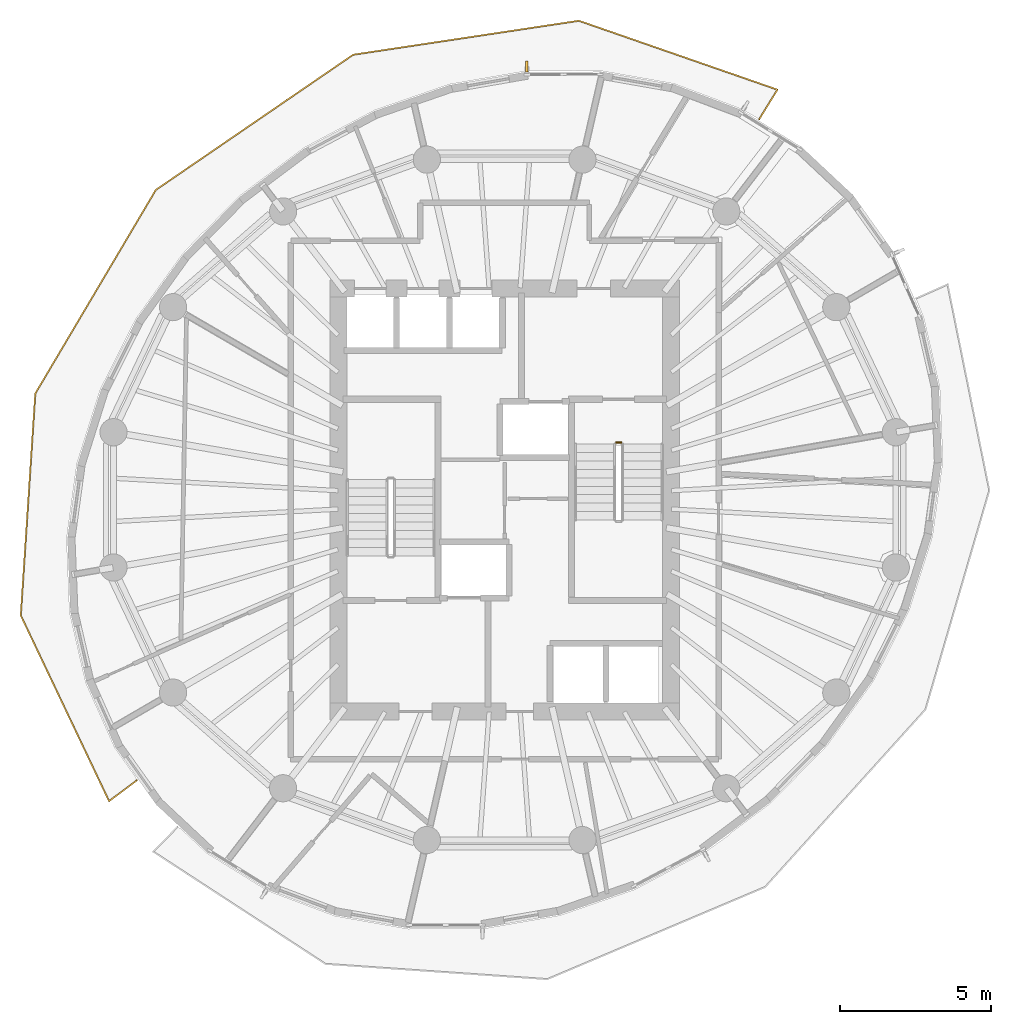
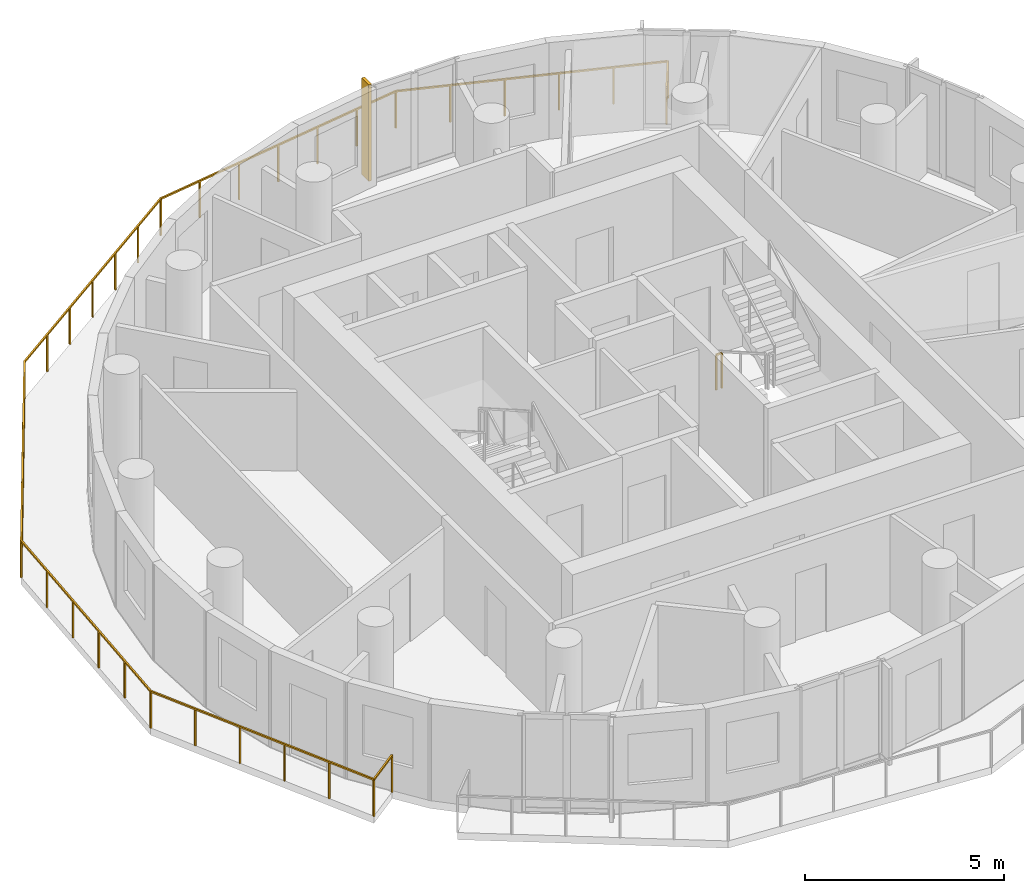
# One storey, part 9 of 10: 2 railings, 1 shading device.
"""IFC4 building model written with IfcOpenShell, lengths in metres."""

from ifc_helpers import new_model, si_unit, direction, frame, origin, origin_2d, place, context, subcontext, project, spatial, rectangle, extrude, material, layer, layer_set, type_object, element, save


model = new_model("IFC4")

# Units and contexts
model_context = context("Model", 3, precision=1e-05, world=origin(), true_north=direction((0.0, 1.0)))
body_context = subcontext(model_context, "Body", "Model", "MODEL_VIEW")
ifc_project = project(units=[si_unit("LENGTHUNIT", "METRE"), si_unit("AREAUNIT", "SQUARE_METRE"), si_unit("VOLUMEUNIT", "CUBIC_METRE"), si_unit("PLANEANGLEUNIT", "RADIAN"), si_unit("MASSUNIT", "GRAM", prefix="KILO")], contexts=[model_context])

# Site, building, storey
site_placement = place(None, origin())
site = spatial("IfcSite", under=ifc_project, at=site_placement, CompositionType="ELEMENT")
building_placement = place(site_placement, origin())
building = spatial("IfcBuilding", under=site, at=building_placement, Name="Veldorim Arch Residences", CompositionType="ELEMENT")
storey_placement = place(building_placement, frame((0.0, 0.0, 172.639892578125)))
storey = spatial("IfcBuildingStorey", under=building, at=storey_placement, Name="L51", CompositionType="ELEMENT", Elevation=172.639892578125)

# Railings
ifc_material_1 = material(Name="Aluminium", Category="aluminium")
railing_type_1 = type_object("IfcRailingType", Name="Balcony & Terrace Laminated Glass Balustrade 1150", PredefinedType="BALUSTRADE", material=ifc_material_1)
railing_1_placement = place(storey_placement, frame((40.425048828125, 36.59814453125, 0.0)))
element("IfcRailing", 1, at=railing_1_placement, inside=storey, type_object=railing_type_1, Name="L51 crescent balcony safety balustrade A", PredefinedType="BALUSTRADE", context=body_context, shape_type="SweptSolid", body=[
    extrude(rectangle(XDim=0.048095703125, YDim=0.048095703125, at=origin_2d()), frame((0.0, 0.0, 1.1259765625), z_axis=(0.524606682695, 0.851344717768, 0.0), x_axis=(-0.851344717768, 0.524606682695, 0.0)), (0.0, 0.0, 1.0), 1.14990234375),
    extrude(rectangle(XDim=0.048095703125, YDim=0.048095703125, at=origin_2d()), frame((0.603271484375, 0.97900390625, 1.1259765625), z_axis=(-0.944704924066, 0.32792164681, 0.0), x_axis=(-0.32792164681, -0.944704924066, 0.0)), (0.0, 0.0, 1.0), 6.956787109375),
    extrude(rectangle(XDim=0.048095703125, YDim=0.048095703125, at=origin_2d()), frame((-5.96875, 3.26025390625, 1.1259765625), z_axis=(-0.988865844183, -0.148809751723, 0.0), x_axis=(0.148809751723, -0.988865844183, 0.0)), (0.0, 0.0, 1.0), 7.55517578125),
    extrude(rectangle(XDim=0.048095703125, YDim=0.048095703125, at=origin_2d()), frame((-13.439697265625, 2.135986328125, 1.1259765625), z_axis=(-0.824983479583, -0.565156844085, 0.0), x_axis=(0.565156844085, -0.824983479583, 0.0)), (0.0, 0.0, 1.0), 7.919189453125),
    extrude(rectangle(XDim=0.048095703125, YDim=0.048095703125, at=origin_2d()), frame((-19.972900390625, -2.339599609375, 1.1259765625), z_axis=(-0.509292152255, -0.860593692547, 0.0), x_axis=(0.860593692547, -0.509292152255, 0.0)), (0.0, 0.0, 1.0), 7.83154296875),
    extrude(rectangle(XDim=0.048095703125, YDim=0.048095703125, at=origin_2d()), frame((-23.96142578125, -9.079345703125, 1.1259765625), z_axis=(-0.065340614692, -0.997863018691, 0.0), x_axis=(0.997863018691, -0.065340614692, 0.0)), (0.0, 0.0, 1.0), 7.35693359375),
    extrude(rectangle(XDim=0.048095703125, YDim=0.048095703125, at=origin_2d()), frame((-24.442138671875, -16.420654296875, 1.1259765625), z_axis=(0.429297420381, -0.903163177313, 0.0), x_axis=(0.903163177313, 0.429297420381, 0.0)), (0.0, 0.0, 1.0), 6.80908203125),
    extrude(rectangle(XDim=0.048095703125, YDim=0.048095703125, at=origin_2d()), frame((-21.51904296875, -22.5703125, 1.1259765625), z_axis=(0.801170297265, 0.598436425011, 0.0), x_axis=(-0.598436425011, 0.801170297265, 0.0)), (0.0, 0.0, 1.0), 1.150146484375),
    extrude(rectangle(XDim=0.0419921875, YDim=0.0419921875, at=origin_2d()), origin(), (0.0, 0.0, 1.0), 1.101806640625),
    extrude(rectangle(XDim=0.0419921875, YDim=0.0419921875, at=origin_2d()), frame((0.603271484375, 0.97900390625, 0.0)), (0.0, 0.0, 1.0), 1.101806640625),
    extrude(rectangle(XDim=0.0419921875, YDim=0.0419921875, at=origin_2d()), frame((-0.711181640625, 1.435302734375, 0.0)), (0.0, 0.0, 1.0), 1.101806640625),
    extrude(rectangle(XDim=0.0419921875, YDim=0.0419921875, at=origin_2d()), frame((-2.025634765625, 1.8916015625, 0.0)), (0.0, 0.0, 1.0), 1.101806640625),
    extrude(rectangle(XDim=0.0419921875, YDim=0.0419921875, at=origin_2d()), frame((-3.33984375, 2.34765625, 0.0)), (0.0, 0.0, 1.0), 1.101806640625),
    extrude(rectangle(XDim=0.0419921875, YDim=0.0419921875, at=origin_2d()), frame((-4.654296875, 2.803955078125, 0.0)), (0.0, 0.0, 1.0), 1.101806640625),
    extrude(rectangle(XDim=0.0419921875, YDim=0.0419921875, at=origin_2d()), frame((-5.96875, 3.26025390625, 0.0)), (0.0, 0.0, 1.0), 1.101806640625),
    extrude(rectangle(XDim=0.0419921875, YDim=0.0419921875, at=origin_2d()), frame((-7.2138671875, 3.07275390625, 0.0)), (0.0, 0.0, 1.0), 1.101806640625),
    extrude(rectangle(XDim=0.0419921875, YDim=0.0419921875, at=origin_2d()), frame((-8.458984375, 2.885498046875, 0.0)), (0.0, 0.0, 1.0), 1.101806640625),
    extrude(rectangle(XDim=0.0419921875, YDim=0.0419921875, at=origin_2d()), frame((-9.7041015625, 2.6982421875, 0.0)), (0.0, 0.0, 1.0), 1.101806640625),
    extrude(rectangle(XDim=0.0419921875, YDim=0.0419921875, at=origin_2d()), frame((-10.949462890625, 2.5107421875, 0.0)), (0.0, 0.0, 1.0), 1.101806640625),
    extrude(rectangle(XDim=0.0419921875, YDim=0.0419921875, at=origin_2d()), frame((-12.194580078125, 2.3232421875, 0.0)), (0.0, 0.0, 1.0), 1.101806640625),
    extrude(rectangle(XDim=0.0419921875, YDim=0.0419921875, at=origin_2d()), frame((-13.439697265625, 2.135986328125, 0.0)), (0.0, 0.0, 1.0), 1.101806640625),
    extrude(rectangle(XDim=0.0419921875, YDim=0.0419921875, at=origin_2d()), frame((-14.528564453125, 1.39013671875, 0.0)), (0.0, 0.0, 1.0), 1.101806640625),
    extrude(rectangle(XDim=0.0419921875, YDim=0.0419921875, at=origin_2d()), frame((-15.617431640625, 0.64404296875, 0.0)), (0.0, 0.0, 1.0), 1.101806640625),
    extrude(rectangle(XDim=0.0419921875, YDim=0.0419921875, at=origin_2d()), frame((-16.706298828125, -0.101806640625, 0.0)), (0.0, 0.0, 1.0), 1.101806640625),
    extrude(rectangle(XDim=0.0419921875, YDim=0.0419921875, at=origin_2d()), frame((-17.795166015625, -0.84765625, 0.0)), (0.0, 0.0, 1.0), 1.101806640625),
    extrude(rectangle(XDim=0.0419921875, YDim=0.0419921875, at=origin_2d()), frame((-18.884033203125, -1.59375, 0.0)), (0.0, 0.0, 1.0), 1.101806640625),
    extrude(rectangle(XDim=0.0419921875, YDim=0.0419921875, at=origin_2d()), frame((-19.972900390625, -2.339599609375, 0.0)), (0.0, 0.0, 1.0), 1.101806640625),
    extrude(rectangle(XDim=0.0419921875, YDim=0.0419921875, at=origin_2d()), frame((-20.6376953125, -3.462890625, 0.0)), (0.0, 0.0, 1.0), 1.101806640625),
    extrude(rectangle(XDim=0.0419921875, YDim=0.0419921875, at=origin_2d()), frame((-21.302490234375, -4.586181640625, 0.0)), (0.0, 0.0, 1.0), 1.101806640625),
    extrude(rectangle(XDim=0.0419921875, YDim=0.0419921875, at=origin_2d()), frame((-21.96728515625, -5.70947265625, 0.0)), (0.0, 0.0, 1.0), 1.101806640625),
    extrude(rectangle(XDim=0.0419921875, YDim=0.0419921875, at=origin_2d()), frame((-22.6318359375, -6.832763671875, 0.0)), (0.0, 0.0, 1.0), 1.101806640625),
    extrude(rectangle(XDim=0.0419921875, YDim=0.0419921875, at=origin_2d()), frame((-23.296630859375, -7.9560546875, 0.0)), (0.0, 0.0, 1.0), 1.101806640625),
    extrude(rectangle(XDim=0.0419921875, YDim=0.0419921875, at=origin_2d()), frame((-23.96142578125, -9.079345703125, 0.0)), (0.0, 0.0, 1.0), 1.101806640625),
    extrude(rectangle(XDim=0.0419921875, YDim=0.0419921875, at=origin_2d()), frame((-24.0576171875, -10.547607421875, 0.0)), (0.0, 0.0, 1.0), 1.101806640625),
    extrude(rectangle(XDim=0.0419921875, YDim=0.0419921875, at=origin_2d()), frame((-24.15380859375, -12.015869140625, 0.0)), (0.0, 0.0, 1.0), 1.101806640625),
    extrude(rectangle(XDim=0.0419921875, YDim=0.0419921875, at=origin_2d()), frame((-24.249755859375, -13.484130859375, 0.0)), (0.0, 0.0, 1.0), 1.101806640625),
    extrude(rectangle(XDim=0.0419921875, YDim=0.0419921875, at=origin_2d()), frame((-24.345947265625, -14.952392578125, 0.0)), (0.0, 0.0, 1.0), 1.101806640625),
    extrude(rectangle(XDim=0.0419921875, YDim=0.0419921875, at=origin_2d()), frame((-24.442138671875, -16.420654296875, 0.0)), (0.0, 0.0, 1.0), 1.101806640625),
    extrude(rectangle(XDim=0.0419921875, YDim=0.0419921875, at=origin_2d()), frame((-23.857421875, -17.650634765625, 0.0)), (0.0, 0.0, 1.0), 1.101806640625),
    extrude(rectangle(XDim=0.0419921875, YDim=0.0419921875, at=origin_2d()), frame((-23.27294921875, -18.880615234375, 0.0)), (0.0, 0.0, 1.0), 1.101806640625),
    extrude(rectangle(XDim=0.0419921875, YDim=0.0419921875, at=origin_2d()), frame((-22.688232421875, -20.1103515625, 0.0)), (0.0, 0.0, 1.0), 1.101806640625),
    extrude(rectangle(XDim=0.0419921875, YDim=0.0419921875, at=origin_2d()), frame((-22.103759765625, -21.34033203125, 0.0)), (0.0, 0.0, 1.0), 1.101806640625),
    extrude(rectangle(XDim=0.0419921875, YDim=0.0419921875, at=origin_2d()), frame((-21.51904296875, -22.5703125, 0.0)), (0.0, 0.0, 1.0), 1.101806640625),
    extrude(rectangle(XDim=0.0419921875, YDim=0.0419921875, at=origin_2d()), frame((-20.59765625, -21.882080078125, 0.0)), (0.0, 0.0, 1.0), 1.101806640625),
])
ifc_material_2 = material(Name="Steel S355", Category="steel")
railing_type_2 = type_object("IfcRailingType", Name="Galvanised Steel Stair Safety Guardrail 1100", PredefinedType="GUARDRAIL", material=ifc_material_2)
railing_2_placement = place(storey_placement, frame((35.68994140625, 25.89990234375, 0.0)))
element("IfcRailing", 2, at=railing_2_placement, inside=storey, type_object=railing_type_2, Name="L51 ST-2 stair guard 4", PredefinedType="GUARDRAIL", context=body_context, shape_type="SweptSolid", body=[
    extrude(rectangle(XDim=0.048095703125, YDim=0.048095703125, at=origin_2d()), frame((0.0, 0.0, 1.076171875), z_axis=(1.0, 0.0, 0.0), x_axis=(0.0, 1.0, 0.0)), (0.0, 0.0, 1.0), 0.16015625),
    extrude(rectangle(XDim=0.0419921875, YDim=0.0419921875, at=origin_2d()), origin(), (0.0, 0.0, 1.0), 1.052001953125),
    extrude(rectangle(XDim=0.0419921875, YDim=0.0419921875, at=origin_2d()), frame((0.16015625, 0.0, 0.0)), (0.0, 0.0, 1.0), 1.052001953125),
])

# Shading device
ifc_material_3 = material(Name="Terracotta Ceramic", Category="masonry")
ifc_layer = layer(ifc_material_3, 0.090087890625, Name="Vertical Extruded Terracotta Baguette Sun-Shading Fin")
ifc_layer_set = layer_set([ifc_layer], Name="Terracotta Ceramic")
shading_device_type = type_object("IfcShadingDeviceType", Name="Vertical Extruded Terracotta Baguette Sun-Shading Fin", PredefinedType="USERDEFINED", material=ifc_layer_set)
shading_device_placement = place(storey_placement, frame((32.735107421875, 38.345947265625, 0.000244140625), z_axis=(0.0, 0.0, 1.0), x_axis=(0.999996573056, 0.002617990887, 0.0)))
element("IfcShadingDevice", 3, at=shading_device_placement, inside=storey, type_object=shading_device_type, Name="L51 vertical terracotta sun-shading fin 05", ObjectType="FIN", PredefinedType="USERDEFINED", context=body_context, shape_type="SweptSolid", body=[
    extrude(rectangle(XDim=0.090087890625, YDim=0.360107421875, at=origin_2d()), origin(), (0.0, 0.0, 1.0), 2.9599609375),
])

save(model, "model.ifc")
